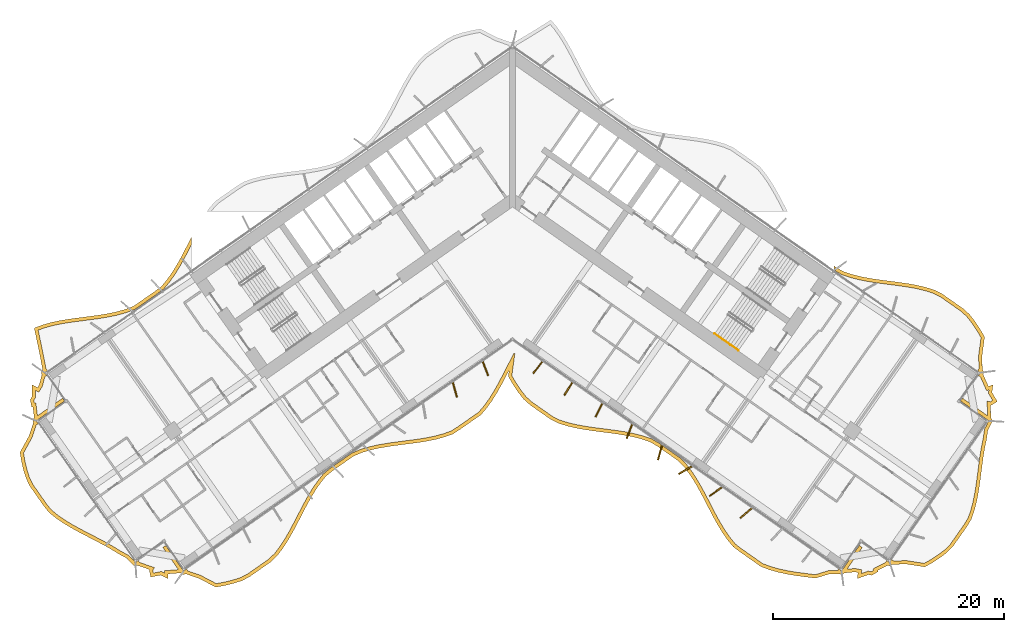
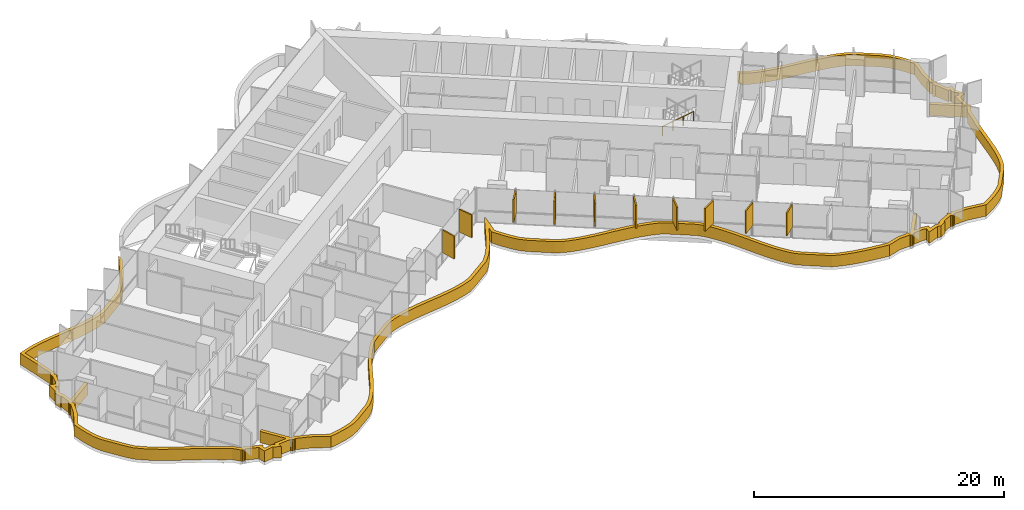
# One storey, part 20 of 23: 11 shading devices, 1 railing.
"""IFC4 building model written with IfcOpenShell, lengths in metres."""

from ifc_helpers import new_model, si_unit, direction, frame, origin, origin_2d, place, context, subcontext, project, spatial, polyline, rectangle, circle, outline, extrude, material, layer, layer_set, type_object, element, save


model = new_model("IFC4")

# Units and contexts
model_context = context("Model", 3, precision=1e-05, world=origin(), true_north=direction((0.0, 1.0)))
body_context = subcontext(model_context, "Body", "Model", "MODEL_VIEW")
ifc_project = project(units=[si_unit("LENGTHUNIT", "METRE"), si_unit("AREAUNIT", "SQUARE_METRE"), si_unit("VOLUMEUNIT", "CUBIC_METRE"), si_unit("PLANEANGLEUNIT", "RADIAN"), si_unit("MASSUNIT", "GRAM", prefix="KILO")], contexts=[model_context])

# Site, building, storey
site_placement = place(None, origin())
site = spatial("IfcSite", under=ifc_project, at=site_placement, CompositionType="ELEMENT")
building_placement = place(site_placement, origin())
building = spatial("IfcBuilding", under=site, at=building_placement, Name="Tel Ilan Convention Tower", CompositionType="ELEMENT")
storey_placement = place(building_placement, frame((0.0, 0.0, 108.5)))
storey = spatial("IfcBuildingStorey", under=building, at=storey_placement, Name="L23", CompositionType="ELEMENT", Elevation=108.5)

# Shading devices
ifc_material_1 = material(Name="Aluminium, bronze anodised", Category="aluminium")
ifc_layer_1 = layer(ifc_material_1, 0.1201171875)
ifc_layer_set_1 = layer_set([ifc_layer_1], Name="FIN BRONZE 1300x120")
shading_device_type_1 = type_object("IfcShadingDeviceType", Name="FIN BRONZE 1300x120", PredefinedType="USERDEFINED", material=ifc_layer_set_1)
for number, where, z_axis, x_axis, name in (
    (1, (-5.004638671875, -17.094482421875, 1.10009765625), (0.0, 0.0, 1.0), (0.268172612768, -0.963370878614, 0.0), "FIN"),
    (2, (-2.35302734375, -15.2529296875, 1.10009765625), (0.0, 0.0, 1.0), (0.360177724803, -0.932883704733, 0.0), "FIN"),
    (3, (2.195556640625, -15.15087890625, 1.10009765625), (0.0, 0.0, 1.0), (-0.612600545196, -0.790392669516, 0.0), "FIN"),
    (4, (4.842041015625, -17.004150390625, 1.10009765625), (0.0, 0.0, 1.0), (-0.533204432798, -0.845986425922, 0.0), "FIN"),
    (5, (7.48876953125, -18.85693359375, 1.10009765625), (0.0, 0.0, 1.0), (-0.448799180206, -0.893632640321, 0.0), "FIN"),
    (6, (10.13818359375, -20.7041015625, 1.10009765625), (0.0, 0.0, 1.0), (-0.360177724803, -0.932883704733, 0.0), "FIN"),
    (7, (12.789794921875, -22.545654296875, 1.10009765625), (0.0, 0.0, 1.0), (-0.268172612768, -0.963370878614, 0.0), "FIN"),
    (8, (14.9931640625, -24.06591796875, 1.10009765625), (0.0, 0.0, 1.0), (-0.866025403784, -0.5, 0.0), "FIN"),
    (9, (17.62548828125, -25.931640625, 1.10009765625), (0.0, 0.0, 1.0), (-0.813552070258, -0.581492071294, 0.0), "FIN"),
    (10, (20.2626953125, -27.79345703125, 1.10009765625), (0.0, 0.0, 1.0), (-0.753435896329, -0.657521368568, 0.0), "FIN"),
):
    element("IfcShadingDevice", number, at=place(storey_placement, frame(where, z_axis=z_axis, x_axis=x_axis)), inside=storey, type_object=shading_device_type_1, Name=name, ObjectType="FIN", PredefinedType="USERDEFINED", context=body_context, shape_type="SweptSolid", body=[
        extrude(rectangle(XDim=1.300048828125, YDim=0.1201171875, at=origin_2d()), origin(), (0.0, 0.0, 1.0), 2.219970703125),
    ])
ifc_material_2 = material(Name="Aluminium, bronze anodised", Category="aluminium")
ifc_layer_2 = layer(ifc_material_2, 0.300048828125)
ifc_layer_set_2 = layer_set([ifc_layer_2], Name="LOUVRE BAND 300x1100")
shading_device_type_2 = type_object("IfcShadingDeviceType", Name="LOUVRE BAND 300x1100", PredefinedType="USERDEFINED", material=ifc_layer_set_2)
shading_device_placement = place(storey_placement, origin())
element("IfcShadingDevice", 11, at=shading_device_placement, inside=storey, type_object=shading_device_type_2, Name="LOUVRE BAND 19.01", ObjectType="LOUVRE", PredefinedType="USERDEFINED", context=body_context, shape_type="SweptSolid", body=[
    extrude(outline(polyline([(-41.95263671875, -21.091796875), (-42.734619140625, -22.51123046875), (-42.607421875, -23.294189453125), (-42.430908203125, -24.04248046875), (-42.208740234375, -24.7587890625), (-41.900146484375, -25.414794921875), (-40.671142578125, -27.170166015625), (-40.220458984375, -27.726806640625), (-39.64404296875, -28.195068359375), (-39.018310546875, -28.62890625), (-38.352294921875, -29.03466796875), (-37.656982421875, -29.419677734375), (-35.51513671875, -30.535888671875), (-34.82470703125, -30.92431640625), (-34.16357421875, -31.33349609375), (-33.458251953125, -31.711669921875), (-32.969482421875, -32.241455078125), (-32.96484375, -32.238037109375), (-32.93603515625, -32.281494140625), (-32.838623046875, -32.346435546875), (-32.723876953125, -32.369384765625), (-32.609130859375, -32.346435546875), (-32.554931640625, -32.310302734375), (-31.51708984375, -32.678955078125), (-31.52783203125, -32.69677734375), (-31.39501953125, -33.33642578125), (-30.5068359375, -33.168701171875), (-29.9072265625, -33.476806640625), (-29.906005859375, -33.06201171875), (-28.786865234375, -32.974853515625), (-28.7578125, -33.01806640625), (-28.660400390625, -33.083251953125), (-28.545654296875, -33.10595703125), (-28.430908203125, -33.083251953125), (-28.376953125, -33.047119140625), (-27.177490234375, -33.46728515625), (-25.748291015625, -34.2158203125), (-24.94677734375, -34.067626953125), (-24.174072265625, -33.878662109375), (-23.436767578125, -33.63916015625), (-22.779296875, -33.28515625), (-20.957275390625, -32.009521484375), (-20.41845703125, -31.486083984375), (-19.947509765625, -30.8662109375), (-19.5107421875, -30.197265625), (-19.1005859375, -29.490234375), (-18.708740234375, -28.75732421875), (-17.939697265625, -27.270263671875), (-17.54296875, -26.544189453125), (-17.125, -25.848388671875), (-16.677734375, -25.1943359375), (-16.19384765625, -24.5927734375), (-15.619140625, -24.12109375), (-13.797119140625, -22.84521484375), (-13.101318359375, -22.546142578125), (-12.351806640625, -22.323974609375), (-11.56884765625, -22.1494140625), (-10.760498046875, -22.01123046875), (-9.935791015625, -21.896484375), (-8.276123046875, -21.681396484375), (-7.4609375, -21.552734375), (-6.66845703125, -21.39208984375), (-5.906494140625, -21.1875), (-5.18212890625, -20.92919921875), (-4.55859375, -20.527099609375), (-2.736572265625, -19.251220703125), (-2.23828125, -18.669921875), (-1.779296875, -18.032958984375), (-1.352294921875, -17.350341796875), (-0.94921875, -16.63330078125), (-0.29345703125, -15.373291015625), (-0.367919921875, -15.928955078125), (0.045166015625, -16.631591796875), (0.487060546875, -17.29296875), (0.964599609375, -17.90380859375), (1.52197265625, -18.400634765625), (3.343994140625, -19.676513671875), (4.02001953125, -20.003662109375), (4.763427734375, -20.234375), (5.54150390625, -20.416015625), (6.34619140625, -20.559326171875), (7.1689453125, -20.67724609375), (8.829345703125, -20.89111328125), (9.647216796875, -21.015625), (10.444091796875, -21.17041015625), (11.211669921875, -21.366943359375), (11.9423828125, -21.61572265625), (12.582275390625, -21.99462890625), (14.404541015625, -23.2705078125), (14.92333984375, -23.822021484375), (15.388427734375, -24.450439453125), (15.8203125, -25.12646484375), (16.2265625, -25.8388671875), (16.61669921875, -26.574462890625), (17.38623046875, -28.060546875), (17.785888671875, -28.782470703125), (18.2080078125, -29.47216796875), (18.660888671875, -30.1181640625), (19.1513671875, -30.71044921875), (19.742431640625, -31.158935546875), (21.564697265625, -32.4345703125), (22.281005859375, -32.7041015625), (23.03662109375, -32.917724609375), (23.824462890625, -33.08544921875), (24.635986328125, -33.218994140625), (26.29443359375, -33.435546875), (27.448974609375, -33.079345703125), (28.376953125, -33.047119140625), (28.430908203125, -33.083251953125), (28.545654296875, -33.10595703125), (28.660400390625, -33.083251953125), (28.7578125, -33.01806640625), (28.786865234375, -32.974853515625), (29.716796875, -32.8935546875), (29.97412109375, -32.9453125), (29.9072265625, -33.476806640625), (30.8779296875, -33.126708984375), (31.183837890625, -33.188232421875), (31.7392578125, -32.8447265625), (31.685546875, -32.75439453125), (32.554931640625, -32.310302734375), (32.609130859375, -32.346435546875), (32.723876953125, -32.369384765625), (32.838623046875, -32.346435546875), (32.93603515625, -32.281494140625), (32.96484375, -32.238037109375), (34.16845703125, -32.208740234375), (35.769775390625, -32.4580078125), (36.4619140625, -32.07080078125), (37.104736328125, -31.64892578125), (37.701904296875, -31.195068359375), (38.212890625, -30.680908203125), (39.44189453125, -28.925537109375), (39.810791015625, -28.311767578125), (40.0537109375, -27.60986328125), (40.247314453125, -26.87353515625), (40.40087890625, -26.109130859375), (40.52490234375, -25.323974609375), (40.841064453125, -22.929443359375), (40.969970703125, -22.147705078125), (41.12841796875, -21.386474609375), (41.24267578125, -20.594482421875), (41.5732421875, -19.9541015625), (41.568603515625, -19.950927734375), (41.604736328125, -19.896728515625), (41.62744140625, -19.781982421875), (41.604736328125, -19.667236328125), (41.53955078125, -19.56982421875), (41.496337890625, -19.541015625), (41.487548828125, -18.439453125), (41.508056640625, -18.443603515625), (42.063720703125, -18.10009765625), (41.602294921875, -17.322509765625), (41.686767578125, -16.65380859375), (41.29638671875, -16.79443359375), (40.831787109375, -15.772705078125), (40.867919921875, -15.71875), (40.890869140625, -15.603759765625), (40.867919921875, -15.489013671875), (40.802978515625, -15.3916015625), (40.759521484375, -15.36279296875), (40.743408203125, -14.096435546875), (40.96044921875, -12.496826171875), (40.548828125, -11.795654296875), (40.108154296875, -11.13525390625), (39.63232421875, -10.525390625), (39.078125, -10.02783203125), (37.260498046875, -8.755126953125), (36.5888671875, -8.4248046875), (35.84814453125, -8.193115234375), (35.072998046875, -8.0107421875), (34.27099609375, -7.86669921875), (33.450927734375, -7.748779296875), (31.79443359375, -7.535400390625), (30.97802734375, -7.412109375), (30.181884765625, -7.259521484375), (29.414794921875, -7.0654296875), (28.68408203125, -6.820068359375), (28.040283203125, -6.44970703125), (27.874755859375, -6.333740234375), (27.874755859375, -6.70068359375), (28.560302734375, -7.094970703125), (29.330322265625, -7.353515625), (30.116943359375, -7.552490234375), (30.92724609375, -7.707763671875), (31.752685546875, -7.83251953125), (33.41064453125, -8.0458984375), (34.22314453125, -8.162841796875), (35.01220703125, -8.3046875), (35.76904296875, -8.482666015625), (36.477294921875, -8.7041015625), (37.107421875, -9.01416015625), (38.89111328125, -10.26318359375), (39.412109375, -10.73095703125), (39.86474609375, -11.31103515625), (40.29443359375, -11.954833984375), (40.649169921875, -12.559326171875), (40.443115234375, -14.07861328125), (40.46142578125, -15.265625), (40.344970703125, -15.431640625), (40.5908203125, -15.603759765625), (40.41943359375, -15.85009765625), (40.596923828125, -15.974365234375), (41.13720703125, -17.1708984375), (41.327880859375, -17.10205078125), (41.291748046875, -17.38720703125), (41.6552734375, -17.999755859375), (41.451171875, -18.1259765625), (41.18359375, -18.072265625), (41.197265625, -19.324462890625), (39.0419921875, -17.8154296875), (38.8701171875, -18.061279296875), (41.327392578125, -19.781982421875), (41.155517578125, -20.02783203125), (41.186279296875, -20.04931640625), (40.952880859375, -20.501708984375), (40.832763671875, -21.33447265625), (40.675048828125, -22.0927734375), (40.54443359375, -22.884521484375), (40.22802734375, -25.28076171875), (40.10546875, -26.05615234375), (39.955078125, -26.8056640625), (39.766357421875, -27.5224609375), (39.53759765625, -28.18408203125), (39.190185546875, -28.761962890625), (37.98193359375, -30.48779296875), (37.50390625, -30.96875), (36.931640625, -31.40380859375), (36.30615234375, -31.814208984375), (35.713623046875, -32.145751953125), (34.1875, -31.908203125), (33.060546875, -31.938720703125), (32.89599609375, -31.823486328125), (32.723876953125, -32.0693359375), (32.4775390625, -31.89794921875), (32.34912109375, -32.08154296875), (31.26416015625, -32.6318359375), (31.3310546875, -32.74462890625), (31.126708984375, -32.870849609375), (30.854736328125, -32.816162109375), (30.26611328125, -33.028564453125), (30.306884765625, -32.7060546875), (29.73291015625, -32.5908203125), (29.016845703125, -32.65625), (30.340087890625, -30.766357421875), (30.09423828125, -30.59423828125), (28.545654296875, -32.805908203125), (28.2998046875, -32.634033203125), (28.214111328125, -32.75634765625), (27.3994140625, -32.78076171875), (26.267822265625, -33.1298828125), (24.6806640625, -32.922119140625), (23.8798828125, -32.79052734375), (23.10888671875, -32.626220703125), (22.374755859375, -32.4189453125), (21.70556640625, -32.167236328125), (19.919189453125, -30.91650390625), (19.3603515625, -30.492431640625), (18.899658203125, -29.936279296875), (18.459228515625, -29.3076171875), (18.04541015625, -28.63134765625), (17.650634765625, -27.91845703125), (16.882568359375, -26.435791015625), (16.489501953125, -25.694091796875), (16.0771484375, -24.97119140625), (15.6357421875, -24.2802734375), (15.154052734375, -23.629150390625), (14.601806640625, -23.04248046875), (12.7451171875, -21.742431640625), (12.068603515625, -21.341796875), (11.29736328125, -21.0791015625), (10.510009765625, -20.87744140625), (9.698486328125, -20.719970703125), (8.871337890625, -20.593994140625), (7.209228515625, -20.3798828125), (6.393798828125, -20.26318359375), (5.60205078125, -20.1220703125), (4.84228515625, -19.94482421875), (4.13037109375, -19.723876953125), (3.496337890625, -19.4169921875), (1.70849609375, -18.1650390625), (1.184326171875, -17.697998046875), (0.73046875, -17.1171875), (0.299560546875, -16.471923828125), (-0.056884765625, -15.8662109375), (0.199462890625, -13.955810546875), (0.11083984375, -13.927978515625), (-0.8271484375, -15.756591796875), (-1.212890625, -16.489990234375), (-1.6103515625, -17.197265625), (-2.0283203125, -17.86572265625), (-2.474365234375, -18.484375), (-2.939697265625, -19.027099609375), (-4.72607421875, -20.278076171875), (-5.315673828125, -20.658203125), (-5.995849609375, -20.90087890625), (-6.737060546875, -21.099853515625), (-7.51416015625, -21.25732421875), (-8.319091796875, -21.384521484375), (-9.97509765625, -21.59912109375), (-10.806396484375, -21.71484375), (-11.626708984375, -21.85498046875), (-12.427001953125, -22.033447265625), (-13.20361328125, -22.263427734375), (-13.94384765625, -22.581787109375), (-15.800537109375, -23.8818359375), (-16.408203125, -24.380615234375), (-16.9189453125, -25.015380859375), (-17.377685546875, -25.686279296875), (-17.80322265625, -26.39501953125), (-18.20458984375, -27.129150390625), (-18.974365234375, -28.617919921875), (-19.36279296875, -29.34423828125), (-19.76611328125, -30.0400390625), (-20.192626953125, -30.693359375), (-20.643798828125, -31.28662109375), (-21.14892578125, -31.777587890625), (-22.93701171875, -33.029296875), (-23.55517578125, -33.362060546875), (-24.256103515625, -33.590087890625), (-25.009765625, -33.7744140625), (-25.700927734375, -33.90185546875), (-27.057861328125, -33.19140625), (-28.18359375, -32.80029296875), (-28.2998046875, -32.634033203125), (-28.545654296875, -32.805908203125), (-30.09423828125, -30.59423828125), (-30.340087890625, -30.766357421875), (-28.991455078125, -32.6923828125), (-30.205078125, -32.78369140625), (-30.20556640625, -32.986083984375), (-30.461181640625, -32.85498046875), (-31.161376953125, -32.98681640625), (-31.2099609375, -32.751708984375), (-31.068115234375, -32.518798828125), (-32.361328125, -32.06396484375), (-32.4775390625, -31.89794921875), (-32.723876953125, -32.0693359375), (-32.89599609375, -31.823486328125), (-32.927001953125, -31.84521484375), (-33.27197265625, -31.47119140625), (-34.013427734375, -31.073486328125), (-34.672119140625, -30.666015625), (-35.37158203125, -30.272216796875), (-37.514892578125, -29.155517578125), (-38.20166015625, -28.775146484375), (-38.8544921875, -28.377197265625), (-39.463623046875, -27.954833984375), (-40.007080078125, -27.513671875), (-40.431396484375, -26.989501953125), (-41.6396484375, -25.263916015625), (-41.92822265625, -24.650146484375), (-42.141357421875, -23.963623046875), (-42.31298828125, -23.235595703125), (-42.421875, -22.565185546875), (-41.6767578125, -21.212646484375), (-41.320068359375, -20.14306640625), (-41.155517578125, -20.02783203125), (-41.327392578125, -19.781982421875), (-38.8701171875, -18.061279296875), (-39.0419921875, -17.8154296875), (-41.220947265625, -19.34130859375), (-41.356689453125, -18.2177734375), (-41.485595703125, -18.2421875), (-41.534423828125, -18.007080078125), (-41.39013671875, -17.770263671875), (-41.38818359375, -17.14453125), (-41.09912109375, -17.29296875), (-40.794677734375, -16.793212890625), (-40.574462890625, -15.958740234375), (-40.41943359375, -15.85009765625), (-40.5908203125, -15.603759765625), (-40.344970703125, -15.431640625), (-40.48046875, -15.238037109375), (-40.81787109375, -13.5107421875), (-41.15283203125, -11.91748046875), (-40.691162109375, -11.74365234375), (-39.958740234375, -11.537353515625), (-39.189208984375, -11.373779296875), (-38.390625, -11.24267578125), (-35.911865234375, -10.914306640625), (-35.091064453125, -10.780029296875), (-34.288330078125, -10.610107421875), (-33.512451171875, -10.392333984375), (-32.749267578125, -10.1083984375), (-30.893798828125, -8.81396484375), (-30.2685546875, -8.34814453125), (-29.747314453125, -7.72314453125), (-29.28173828125, -7.063232421875), (-28.85107421875, -6.363037109375), (-28.4462890625, -5.63525390625), (-27.874755859375, -4.5361328125), (-27.874755859375, -3.88330078125), (-28.71044921875, -5.49267578125), (-29.10986328125, -6.211669921875), (-29.5322265625, -6.89794921875), (-29.9853515625, -7.540283203125), (-30.47607421875, -8.128662109375), (-31.069580078125, -8.57080078125), (-32.88916015625, -9.84033203125), (-33.60546875, -10.10693359375), (-34.360107421875, -10.318603515625), (-35.146240234375, -10.485107421875), (-35.956298828125, -10.61767578125), (-38.43505859375, -10.946044921875), (-39.244873046875, -11.078857421875), (-40.03076171875, -11.245849609375), (-40.784912109375, -11.45849609375), (-41.499267578125, -11.727294921875), (-41.11181640625, -13.5703125), (-40.759521484375, -15.36279296875), (-40.802978515625, -15.3916015625), (-40.867919921875, -15.489013671875), (-40.890869140625, -15.603759765625), (-40.867919921875, -15.71875), (-40.831787109375, -15.772705078125), (-41.073486328125, -16.67431640625), (-41.210205078125, -16.898681640625), (-41.686767578125, -16.65380859375), (-41.68994140625, -17.685546875), (-41.852294921875, -17.9521484375), (-41.719482421875, -18.591552734375), (-41.6162109375, -18.572021484375), (-41.496337890625, -19.541015625), (-41.53955078125, -19.56982421875), (-41.604736328125, -19.667236328125), (-41.62744140625, -19.781982421875), (-41.604736328125, -19.896728515625), (-41.568603515625, -19.950927734375), (-41.95263671875, -21.091796875)])), origin(), (0.0, 0.0, 1.0), 1.10009765625),
])

# Railing
ifc_material_3 = material(Name="Stainless Steel Grade 316", Category="steel")
railing_type = type_object("IfcRailingType", Name="Stainless Steel Stair Handrail 900 mm", PredefinedType="HANDRAIL", material=ifc_material_3)
railing_placement = place(storey_placement, frame((17.542236328125, -12.22216796875, 1.97998046875)))
element("IfcRailing", 12, at=railing_placement, inside=storey, type_object=railing_type, Name="L23 S4 stair handrail 2", PredefinedType="HANDRAIL", context=body_context, shape_type="SweptSolid", body=[
    extrude(circle(Radius=0.02392578125, at=origin_2d()), frame((0.0, 0.0, 0.8759765625), z_axis=(0.689040105437, -0.482450316285, 0.54080072616), x_axis=(0.573559875649, 0.819163639968, 0.0)), (0.0, 0.0, 1.0), 2.995849609375),
    extrude(circle(Radius=0.02099609375, at=origin_2d()), origin(), (0.0, 0.0, 1.0), 0.851806640625),
    extrude(circle(Radius=0.02099609375, at=origin_2d()), frame((0.68798828125, -0.481689453125, 0.5400390625)), (0.0, 0.0, 1.0), 0.851806640625),
    extrude(circle(Radius=0.02099609375, at=origin_2d()), frame((1.376220703125, -0.963623046875, 1.080078125)), (0.0, 0.0, 1.0), 0.851806640625),
    extrude(circle(Radius=0.02099609375, at=origin_2d()), frame((2.064208984375, -1.4453125, 1.6201171875)), (0.0, 0.0, 1.0), 0.851806640625),
])

save(model, "model.ifc")
